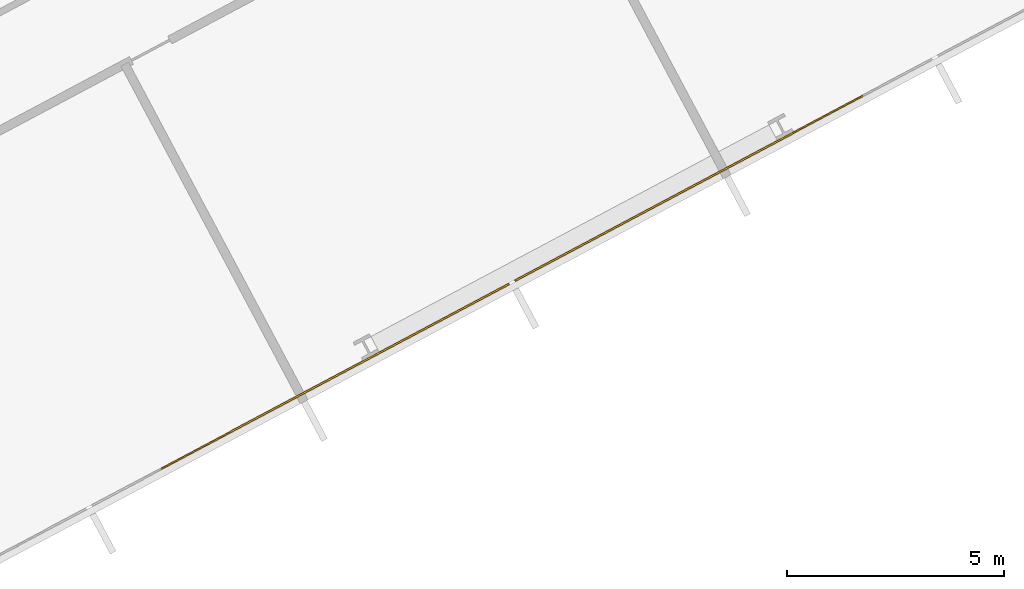
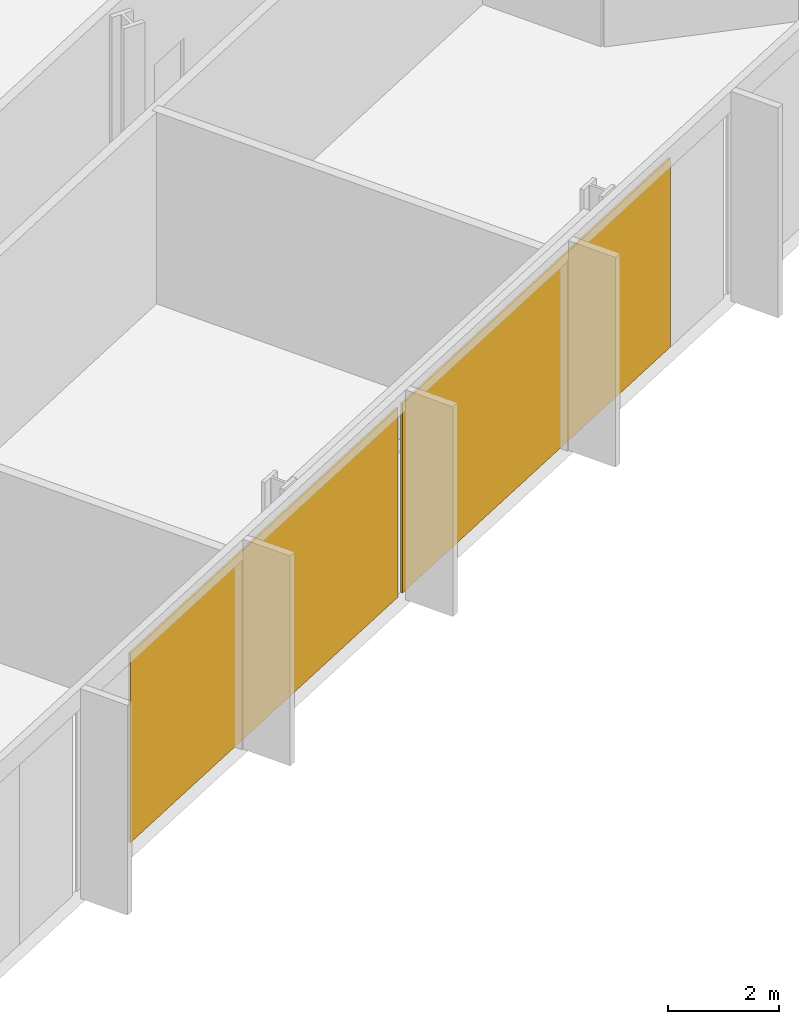
# One storey, part 29 of 32: 2 coverings, 1 element without a shape of its own.
"""IFC4 building model written with IfcOpenShell, lengths in metres."""

import ifcopenshell
import ifcopenshell.guid

model = None  # the IFC model being written
_history = None  # IfcOwnerHistory: only IFC2X3 demands one
_inside = {}  # id of a spatial element -> (the spatial element, [elements in it])
_under = {}  # id of a project, library or spatial element -> (it, [spatial elements below it])
_declared = {}  # id of a project -> (the project, [libraries it declares])
_typed = {}  # id of a type object -> (the type object, [elements of that type])
_made_of = {}  # id of a material, layer set ... -> (it, [elements and type objects made of it])


def new_model(schema):
    """Start an empty IFC model of exactly this schema.

    Asked for "IFC4X3", IfcOpenShell would pick the latest addendum, in which some entities
    have other attributes; the version numbers below select the first issue.
    IFC2X3 requires an IfcOwnerHistory on every rooted entity: one is made here for all.
    """
    global model, _history
    if schema == "IFC4X3":
        model = ifcopenshell.file(schema_version=(4, 3, 0, 0))
    else:
        model = ifcopenshell.file(schema=schema)
    _inside.clear()
    _under.clear()
    _declared.clear()
    _typed.clear()
    _made_of.clear()
    _history = None
    if model.schema == "IFC2X3":
        org = make("IfcOrganization", Name="unknown")
        user = make(
            "IfcPersonAndOrganization",
            ThePerson=make("IfcPerson", FamilyName="unknown"),
            TheOrganization=org,
        )
        app = make(
            "IfcApplication",
            ApplicationDeveloper=org,
            Version="unknown",
            ApplicationFullName="unknown",
            ApplicationIdentifier="unknown",
        )
        _history = make(
            "IfcOwnerHistory",
            OwningUser=user,
            OwningApplication=app,
            ChangeAction="ADDED",
            CreationDate=0,
        )
    return model


def make(cls, **values):
    """One entity of the class cls with the attributes given. An attribute that is None is left unset."""
    return model.create_entity(
        cls, **{name: value for name, value in values.items() if value is not None}
    )


def rooted(cls, **values):
    """An entity with a GlobalId (a new one), such as an element, a storey or a relation."""
    return make(cls, GlobalId=ifcopenshell.guid.new(), OwnerHistory=_history, **values)


def si_unit(unit_type, name, prefix=None):
    """IfcSIUnit, for example si_unit("LENGTHUNIT", "METRE", prefix="MILLI")."""
    return make("IfcSIUnit", UnitType=unit_type, Prefix=prefix, Name=name)


def assignment(units):
    """IfcUnitAssignment: the units of a project."""
    return None if units is None else make("IfcUnitAssignment", Units=units)


def point(xyz):
    """IfcCartesianPoint."""
    return None if xyz is None else make("IfcCartesianPoint", Coordinates=xyz)


def direction(xyz):
    """IfcDirection."""
    return None if xyz is None else make("IfcDirection", DirectionRatios=xyz)


def frame(location, z_axis=None, x_axis=None):
    """IfcAxis2Placement3D, a coordinate frame: its origin and axes. An axis left out is left unset."""
    return make(
        "IfcAxis2Placement3D",
        Location=point(location),
        Axis=direction(z_axis),
        RefDirection=direction(x_axis),
    )


def frame_2d(location, x_axis=None):
    """IfcAxis2Placement2D, a coordinate frame in the plane: its origin and x axis."""
    return make(
        "IfcAxis2Placement2D", Location=point(location), RefDirection=direction(x_axis)
    )


def origin():
    """The frame at (0, 0, 0) with its axes left unset."""
    return frame((0.0, 0.0, 0.0))


def origin_2d():
    """The frame at (0, 0) in the plane with its x axis left unset."""
    return frame_2d((0.0, 0.0))


def place(relative_to, where):
    """IfcLocalPlacement: puts the frame where relative to a parent placement (None: the world)."""
    return make(
        "IfcLocalPlacement", PlacementRelTo=relative_to, RelativePlacement=where
    )


def context(
    kind, dimensions, precision=None, world=None, true_north=None, identifier=None
):
    """IfcGeometricRepresentationContext, for example the 3D "Model" context."""
    return make(
        "IfcGeometricRepresentationContext",
        ContextIdentifier=identifier,
        ContextType=kind,
        CoordinateSpaceDimension=dimensions,
        Precision=precision,
        WorldCoordinateSystem=world,
        TrueNorth=true_north,
    )


def subcontext(parent, identifier, kind, view, scale=None):
    """IfcGeometricRepresentationSubContext, for example "Body" below "Model"."""
    return make(
        "IfcGeometricRepresentationSubContext",
        ContextIdentifier=identifier,
        ContextType=kind,
        ParentContext=parent,
        TargetScale=scale,
        TargetView=view,
    )


def project(units=None, contexts=None):
    """IfcProject with its units and contexts."""
    return rooted(
        "IfcProject",
        Name="project",
        RepresentationContexts=contexts,
        UnitsInContext=assignment(units),
    )


def spatial(cls, under=None, at=None, **own):
    """A site, building, storey or space (cls), placed at a placement, below another one or the project."""
    s = rooted(cls, ObjectPlacement=at, **own)
    if under is not None:
        _under.setdefault(under.id(), (under, []))[1].append(s)
    return s


def profile(cls, at=None, kind="AREA", **sizes):
    """A parametric profile (cls). Its sizes go by their IFC names, for example OverallWidth=200.0."""
    return make(cls, ProfileType=kind, Position=at, **sizes)


def rectangle(**sizes):
    """IfcRectangleProfileDef."""
    return profile("IfcRectangleProfileDef", **sizes)


def extrude(swept, where, along, depth):
    """IfcExtrudedAreaSolid: the profile swept, set in the frame where, extruded along a direction by depth."""
    return make(
        "IfcExtrudedAreaSolid",
        SweptArea=swept,
        Position=where,
        ExtrudedDirection=direction(along),
        Depth=depth,
    )


def shape(context_of_items, identifier, shape_type, items):
    """IfcShapeRepresentation: the items that make up one representation, for example the "Body"."""
    return make(
        "IfcShapeRepresentation",
        ContextOfItems=context_of_items,
        RepresentationIdentifier=identifier,
        RepresentationType=shape_type,
        Items=items,
    )


def material(Name=None, Category=None):
    """IfcMaterial."""
    return make("IfcMaterial", Name=Name, Category=Category)


def layer(
    of_material, thickness, ventilated=None, Name=None, Category=None, Priority=None
):
    """IfcMaterialLayer: one layer of a wall or slab, of a material (None: an air gap)."""
    return make(
        "IfcMaterialLayer",
        Material=of_material,
        LayerThickness=thickness,
        IsVentilated=ventilated,
        Name=Name,
        Category=Category,
        Priority=Priority,
    )


def layer_set(layers, Name=None):
    """IfcMaterialLayerSet."""
    return make("IfcMaterialLayerSet", MaterialLayers=layers, LayerSetName=Name)


def made_of(thing, what):
    """Note that an element or type object is made of a material, layer set ...; save() writes the relation."""
    if what is not None:
        _made_of.setdefault(what.id(), (what, []))[1].append(thing)
    return thing


def type_object(cls, material=None, **own):
    """A type object (cls), such as IfcWallType, which elements share."""
    return made_of(rooted(cls, **own), material)


def element(
    cls,
    number,
    at=None,
    inside=None,
    cuts=None,
    type_object=None,
    material=None,
    context=None,
    identifier="Body",
    shape_type=None,
    held_by="IfcProductDefinitionShape",
    body=None,
    shapes=None,
    **own,
):
    """One element of the class cls, such as IfcWall. Its Tag is "e" and its number.

    at: its placement. inside: the storey or other place that contains it. cuts: it is an
    opening in that element (IfcRelVoidsElement). A single representation is given by context,
    identifier, shape_type and body (its items); several are given by shapes. held_by: the class
    of the entity that holds the representations. save() writes the other relations.
    """
    e = rooted(cls, Tag="e%d" % number, ObjectPlacement=at, **own)
    if body is not None:
        shapes = [shape(context, identifier, shape_type, body)]
    if shapes is not None:
        e.Representation = make(held_by, Representations=shapes)
    if inside is not None:
        _inside.setdefault(inside.id(), (inside, []))[1].append(e)
    if cuts is not None:
        rooted(
            "IfcRelVoidsElement", RelatingBuildingElement=cuts, RelatedOpeningElement=e
        )
    if type_object is not None:
        _typed.setdefault(type_object.id(), (type_object, []))[1].append(e)
    return made_of(e, material)


def aggregate(whole, parts):
    """IfcRelAggregates: a whole, such as a stair, and the parts it consists of."""
    return rooted("IfcRelAggregates", RelatingObject=whole, RelatedObjects=parts)


def save(model, path):
    """Write the relations noted so far, then the file.

    IfcRelAggregates (storeys below a building ...), IfcRelContainedInSpatialStructure (elements
    in a storey), IfcRelDefinesByType, IfcRelAssociatesMaterial and IfcRelDeclares: one each for
    every whole, place, type object, material and project.
    """
    for whole, parts in _under.values():
        aggregate(whole, parts)
    for where, things in _inside.values():
        rooted(
            "IfcRelContainedInSpatialStructure",
            RelatedElements=things,
            RelatingStructure=where,
        )
    for kind, things in _typed.values():
        rooted("IfcRelDefinesByType", RelatedObjects=things, RelatingType=kind)
    for what, things in _made_of.values():
        rooted("IfcRelAssociatesMaterial", RelatedObjects=things, RelatingMaterial=what)
    for by, libraries in _declared.values():
        rooted("IfcRelDeclares", RelatingContext=by, RelatedDefinitions=libraries)
    model.write(path)


model = new_model("IFC4")

# Units and contexts
model_context = context("Model", 3, precision=1e-05, world=origin(), true_north=direction((0.0, 1.0)))
body_context = subcontext(model_context, "Body", "Model", "MODEL_VIEW")
ifc_project = project(units=[si_unit("LENGTHUNIT", "METRE"), si_unit("AREAUNIT", "SQUARE_METRE"), si_unit("VOLUMEUNIT", "CUBIC_METRE"), si_unit("PLANEANGLEUNIT", "RADIAN"), si_unit("MASSUNIT", "GRAM", prefix="KILO")], contexts=[model_context])

# Site, building, storey
site_placement = place(None, origin())
site = spatial("IfcSite", under=ifc_project, at=site_placement, CompositionType="ELEMENT")
building_placement = place(site_placement, origin())
building = spatial("IfcBuilding", under=site, at=building_placement, Name="Cormorant Relay Tower", CompositionType="ELEMENT")
storey_placement = place(building_placement, frame((0.0, 0.0, 66.199951171875)))
storey = spatial("IfcBuildingStorey", under=building, at=storey_placement, Name="L12", CompositionType="ELEMENT", Elevation=66.199951171875)

# Curtain wall, coverings
ifc_material_1 = material(Name="Aluminium 6063-T6 anodised bronze", Category="aluminium")
ifc_layer_1 = layer(ifc_material_1, 0.199951171875)
ifc_layer_set_1 = layer_set([ifc_layer_1], Name="CW1 unitised bronze curtain wall with vertical fins")
curtain_wall_type = type_object("IfcCurtainWallType", Name="CW1 unitised bronze curtain wall with vertical fins", PredefinedType="NOTDEFINED", material=ifc_layer_set_1)
curtain_wall_placement = place(storey_placement, origin())
curtain_wall = element("IfcCurtainWall", 1, at=curtain_wall_placement, inside=storey, type_object=curtain_wall_type, Name="CW1 curtain wall 2", PredefinedType="NOTDEFINED")
ifc_material_2 = material(Name="Pale bronze anodised aluminium insulated panel", Category="aluminium")
ifc_layer_2 = layer(ifc_material_2, 0.0400390625)
ifc_layer_set_2 = layer_set([ifc_layer_2], Name="CW1 pale bronze insulated panel 40")
covering_type = type_object("IfcCoveringType", Name="CW1 pale bronze insulated panel 40", PredefinedType="CLADDING", material=ifc_layer_set_2)
covering_1_placement = place(storey_placement, frame((52.11962890625, 3.906005859375, 0.0), z_axis=(0.0, 0.0, 1.0), x_axis=(0.882947592859, 0.469471562786, 0.0)))
covering_1 = element("IfcCovering", 2, at=covering_1_placement, type_object=covering_type, Name="CW1 panel S10", PredefinedType="CLADDING", context=body_context, shape_type="SweptSolid", body=[
    extrude(rectangle(XDim=9.07373046875, YDim=0.0400390625, at=origin_2d()), origin(), (0.0, 0.0, 1.0), 4.14990234375),
])
covering_2_placement = place(storey_placement, frame((60.263671875, 8.236083984375, 0.0), z_axis=(0.0, 0.0, 1.0), x_axis=(0.882947592859, 0.469471562786, 0.0)))
covering_2 = element("IfcCovering", 3, at=covering_2_placement, type_object=covering_type, Name="CW1 panel S11", PredefinedType="CLADDING", context=body_context, shape_type="SweptSolid", body=[
    extrude(rectangle(XDim=9.07373046875, YDim=0.0400390625, at=origin_2d()), origin(), (0.0, 0.0, 1.0), 4.14990234375),
])
aggregate(curtain_wall, [covering_1, covering_2])

save(model, "model.ifc")
